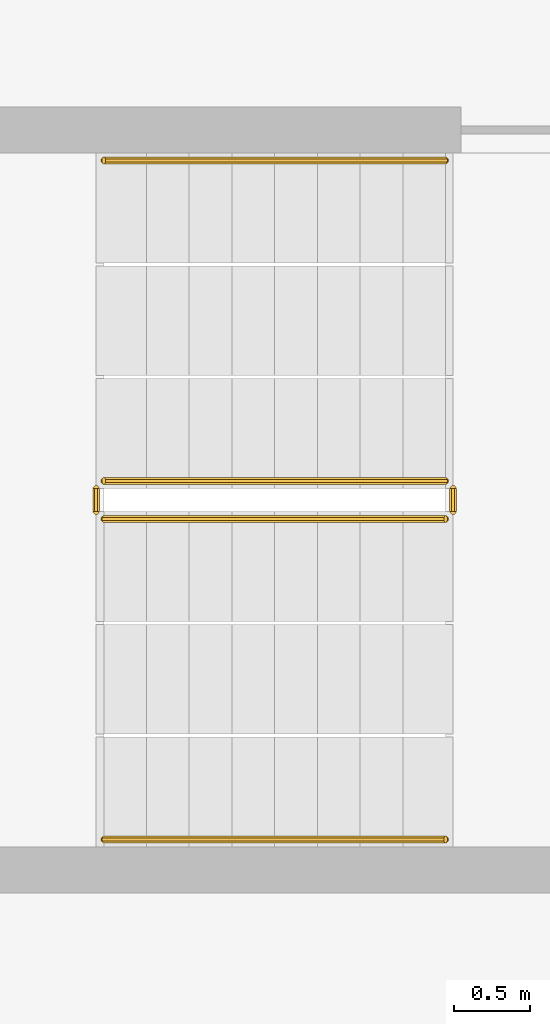
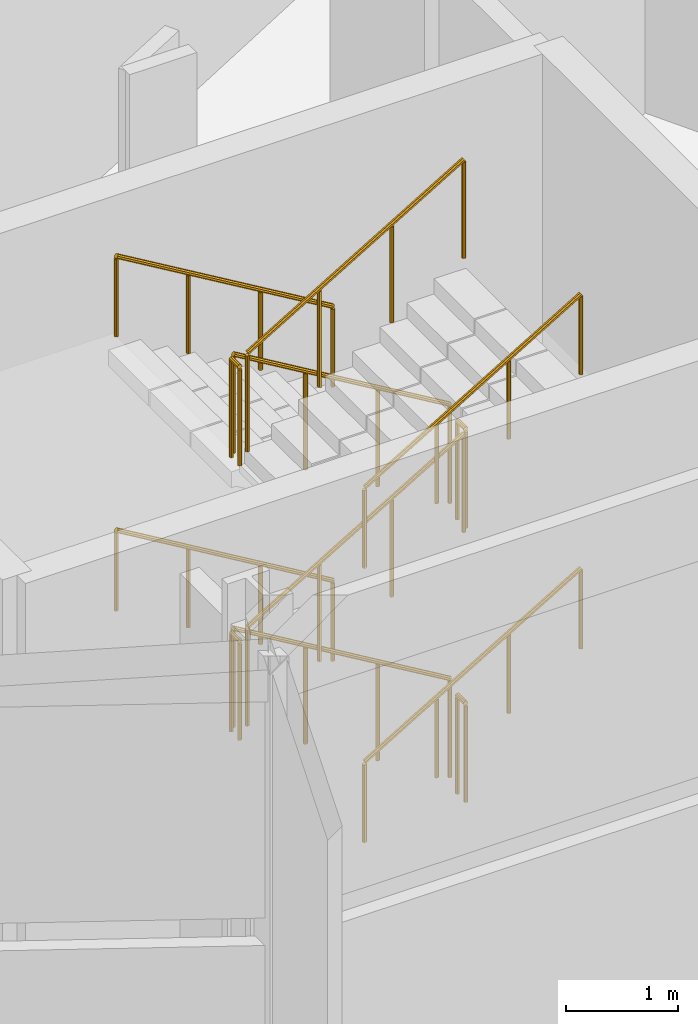
# One storey, part 21 of 33: 12 railings.
"""IFC4 building model written with IfcOpenShell, lengths in metres."""

import ifcopenshell
import ifcopenshell.guid

model = None  # the IFC model being written
_history = None  # IfcOwnerHistory: only IFC2X3 demands one
_inside = {}  # id of a spatial element -> (the spatial element, [elements in it])
_under = {}  # id of a project, library or spatial element -> (it, [spatial elements below it])
_declared = {}  # id of a project -> (the project, [libraries it declares])
_typed = {}  # id of a type object -> (the type object, [elements of that type])
_made_of = {}  # id of a material, layer set ... -> (it, [elements and type objects made of it])


def new_model(schema):
    """Start an empty IFC model of exactly this schema.

    Asked for "IFC4X3", IfcOpenShell would pick the latest addendum, in which some entities
    have other attributes; the version numbers below select the first issue.
    IFC2X3 requires an IfcOwnerHistory on every rooted entity: one is made here for all.
    """
    global model, _history
    if schema == "IFC4X3":
        model = ifcopenshell.file(schema_version=(4, 3, 0, 0))
    else:
        model = ifcopenshell.file(schema=schema)
    _inside.clear()
    _under.clear()
    _declared.clear()
    _typed.clear()
    _made_of.clear()
    _history = None
    if model.schema == "IFC2X3":
        org = make("IfcOrganization", Name="unknown")
        user = make(
            "IfcPersonAndOrganization",
            ThePerson=make("IfcPerson", FamilyName="unknown"),
            TheOrganization=org,
        )
        app = make(
            "IfcApplication",
            ApplicationDeveloper=org,
            Version="unknown",
            ApplicationFullName="unknown",
            ApplicationIdentifier="unknown",
        )
        _history = make(
            "IfcOwnerHistory",
            OwningUser=user,
            OwningApplication=app,
            ChangeAction="ADDED",
            CreationDate=0,
        )
    return model


def make(cls, **values):
    """One entity of the class cls with the attributes given. An attribute that is None is left unset."""
    return model.create_entity(
        cls, **{name: value for name, value in values.items() if value is not None}
    )


def rooted(cls, **values):
    """An entity with a GlobalId (a new one), such as an element, a storey or a relation."""
    return make(cls, GlobalId=ifcopenshell.guid.new(), OwnerHistory=_history, **values)


def si_unit(unit_type, name, prefix=None):
    """IfcSIUnit, for example si_unit("LENGTHUNIT", "METRE", prefix="MILLI")."""
    return make("IfcSIUnit", UnitType=unit_type, Prefix=prefix, Name=name)


def assignment(units):
    """IfcUnitAssignment: the units of a project."""
    return None if units is None else make("IfcUnitAssignment", Units=units)


def point(xyz):
    """IfcCartesianPoint."""
    return None if xyz is None else make("IfcCartesianPoint", Coordinates=xyz)


def direction(xyz):
    """IfcDirection."""
    return None if xyz is None else make("IfcDirection", DirectionRatios=xyz)


def frame(location, z_axis=None, x_axis=None):
    """IfcAxis2Placement3D, a coordinate frame: its origin and axes. An axis left out is left unset."""
    return make(
        "IfcAxis2Placement3D",
        Location=point(location),
        Axis=direction(z_axis),
        RefDirection=direction(x_axis),
    )


def origin():
    """The frame at (0, 0, 0) with its axes left unset."""
    return frame((0.0, 0.0, 0.0))


def place(relative_to, where):
    """IfcLocalPlacement: puts the frame where relative to a parent placement (None: the world)."""
    return make(
        "IfcLocalPlacement", PlacementRelTo=relative_to, RelativePlacement=where
    )


def context(
    kind, dimensions, precision=None, world=None, true_north=None, identifier=None
):
    """IfcGeometricRepresentationContext, for example the 3D "Model" context."""
    return make(
        "IfcGeometricRepresentationContext",
        ContextIdentifier=identifier,
        ContextType=kind,
        CoordinateSpaceDimension=dimensions,
        Precision=precision,
        WorldCoordinateSystem=world,
        TrueNorth=true_north,
    )


def subcontext(parent, identifier, kind, view, scale=None):
    """IfcGeometricRepresentationSubContext, for example "Body" below "Model"."""
    return make(
        "IfcGeometricRepresentationSubContext",
        ContextIdentifier=identifier,
        ContextType=kind,
        ParentContext=parent,
        TargetScale=scale,
        TargetView=view,
    )


def project(units=None, contexts=None):
    """IfcProject with its units and contexts."""
    return rooted(
        "IfcProject",
        Name="project",
        RepresentationContexts=contexts,
        UnitsInContext=assignment(units),
    )


def spatial(cls, under=None, at=None, **own):
    """A site, building, storey or space (cls), placed at a placement, below another one or the project."""
    s = rooted(cls, ObjectPlacement=at, **own)
    if under is not None:
        _under.setdefault(under.id(), (under, []))[1].append(s)
    return s


def polyline(points):
    """IfcPolyline through the points."""
    return make("IfcPolyline", Points=[point(p) for p in points])


def outline(outer, holes=None, kind="AREA"):
    """IfcArbitraryClosedProfileDef: a profile drawn as a closed curve; with holes, ...WithVoids."""
    if holes is None:
        return make("IfcArbitraryClosedProfileDef", ProfileType=kind, OuterCurve=outer)
    return make(
        "IfcArbitraryProfileDefWithVoids",
        ProfileType=kind,
        OuterCurve=outer,
        InnerCurves=holes,
    )


def extrude(swept, where, along, depth):
    """IfcExtrudedAreaSolid: the profile swept, set in the frame where, extruded along a direction by depth."""
    return make(
        "IfcExtrudedAreaSolid",
        SweptArea=swept,
        Position=where,
        ExtrudedDirection=direction(along),
        Depth=depth,
    )


def shape(context_of_items, identifier, shape_type, items):
    """IfcShapeRepresentation: the items that make up one representation, for example the "Body"."""
    return make(
        "IfcShapeRepresentation",
        ContextOfItems=context_of_items,
        RepresentationIdentifier=identifier,
        RepresentationType=shape_type,
        Items=items,
    )


def material(Name=None, Category=None):
    """IfcMaterial."""
    return make("IfcMaterial", Name=Name, Category=Category)


def made_of(thing, what):
    """Note that an element or type object is made of a material, layer set ...; save() writes the relation."""
    if what is not None:
        _made_of.setdefault(what.id(), (what, []))[1].append(thing)
    return thing


def type_object(cls, material=None, **own):
    """A type object (cls), such as IfcWallType, which elements share."""
    return made_of(rooted(cls, **own), material)


def element(
    cls,
    number,
    at=None,
    inside=None,
    cuts=None,
    type_object=None,
    material=None,
    context=None,
    identifier="Body",
    shape_type=None,
    held_by="IfcProductDefinitionShape",
    body=None,
    shapes=None,
    **own,
):
    """One element of the class cls, such as IfcWall. Its Tag is "e" and its number.

    at: its placement. inside: the storey or other place that contains it. cuts: it is an
    opening in that element (IfcRelVoidsElement). A single representation is given by context,
    identifier, shape_type and body (its items); several are given by shapes. held_by: the class
    of the entity that holds the representations. save() writes the other relations.
    """
    e = rooted(cls, Tag="e%d" % number, ObjectPlacement=at, **own)
    if body is not None:
        shapes = [shape(context, identifier, shape_type, body)]
    if shapes is not None:
        e.Representation = make(held_by, Representations=shapes)
    if inside is not None:
        _inside.setdefault(inside.id(), (inside, []))[1].append(e)
    if cuts is not None:
        rooted(
            "IfcRelVoidsElement", RelatingBuildingElement=cuts, RelatedOpeningElement=e
        )
    if type_object is not None:
        _typed.setdefault(type_object.id(), (type_object, []))[1].append(e)
    return made_of(e, material)


def aggregate(whole, parts):
    """IfcRelAggregates: a whole, such as a stair, and the parts it consists of."""
    return rooted("IfcRelAggregates", RelatingObject=whole, RelatedObjects=parts)


def save(model, path):
    """Write the relations noted so far, then the file.

    IfcRelAggregates (storeys below a building ...), IfcRelContainedInSpatialStructure (elements
    in a storey), IfcRelDefinesByType, IfcRelAssociatesMaterial and IfcRelDeclares: one each for
    every whole, place, type object, material and project.
    """
    for whole, parts in _under.values():
        aggregate(whole, parts)
    for where, things in _inside.values():
        rooted(
            "IfcRelContainedInSpatialStructure",
            RelatedElements=things,
            RelatingStructure=where,
        )
    for kind, things in _typed.values():
        rooted("IfcRelDefinesByType", RelatedObjects=things, RelatingType=kind)
    for what, things in _made_of.values():
        rooted("IfcRelAssociatesMaterial", RelatedObjects=things, RelatingMaterial=what)
    for by, libraries in _declared.values():
        rooted("IfcRelDeclares", RelatingContext=by, RelatedDefinitions=libraries)
    model.write(path)


model = new_model("IFC4")

# Units and contexts
model_context = context("Model", 3, precision=1e-05, world=origin(), true_north=direction((0.0, 1.0)))
body_context = subcontext(model_context, "Body", "Model", "MODEL_VIEW")
ifc_project = project(units=[si_unit("LENGTHUNIT", "METRE"), si_unit("AREAUNIT", "SQUARE_METRE"), si_unit("VOLUMEUNIT", "CUBIC_METRE"), si_unit("PLANEANGLEUNIT", "RADIAN"), si_unit("MASSUNIT", "GRAM", prefix="KILO")], contexts=[model_context])

# Site, building, storey
site_placement = place(None, origin())
site = spatial("IfcSite", under=ifc_project, at=site_placement, CompositionType="ELEMENT")
building_placement = place(site_placement, origin())
building = spatial("IfcBuilding", under=site, at=building_placement, Name="Cormorant Relay Tower", CompositionType="ELEMENT")
storey_placement = place(building_placement, frame((0.0, 0.0, 112.199951171875)))
storey = spatial("IfcBuildingStorey", under=building, at=storey_placement, Name="L22", CompositionType="ELEMENT", Elevation=112.199951171875)

# Railings
ifc_material_1 = material(Name="Steel ASTM A572 Grade 50 (Fy 345 MPa)", Category="steel")
railing_type_1 = type_object("IfcRailingType", Name="Stair guard 1100", PredefinedType="GUARDRAIL", material=ifc_material_1)
railing_1_placement = place(storey_placement, frame((1.60009765625, -18.27490234375, 0.166748046875)))
element("IfcRailing", 1, at=railing_1_placement, inside=storey, type_object=railing_type_1, Name="L22 RK1 stair guard 1", PredefinedType="GUARDRAIL", context=body_context, shape_type="SweptSolid", body=[
    extrude(outline(polyline([(0.022216796875, 0.00927734375), (0.00927734375, 0.022216796875), (-0.00927734375, 0.022216796875), (-0.022216796875, 0.00927734375), (-0.022216796875, -0.00927734375), (-0.00927734375, -0.022216796875), (0.00927734375, -0.022216796875), (0.022216796875, -0.00927734375), (0.022216796875, 0.00927734375)])), frame((0.0, 0.0, 1.076171875), z_axis=(-0.859305625298, 0.0, 0.511462454469), x_axis=(0.0, -1.0, 0.0)), (0.0, 0.0, 1.0), 2.606689453125),
    extrude(outline(polyline([(0.019287109375, 0.008056640625), (0.008056640625, 0.019287109375), (-0.008056640625, 0.019287109375), (-0.019287109375, 0.008056640625), (-0.019287109375, -0.008056640625), (-0.008056640625, -0.019287109375), (0.008056640625, -0.019287109375), (0.019287109375, -0.008056640625), (0.019287109375, 0.008056640625)])), origin(), (0.0, 0.0, 1.0), 1.052001953125),
    extrude(outline(polyline([(0.019287109375, 0.008056640625), (0.008056640625, 0.019287109375), (-0.008056640625, 0.019287109375), (-0.019287109375, 0.008056640625), (-0.019287109375, -0.008056640625), (-0.008056640625, -0.019287109375), (0.008056640625, -0.019287109375), (0.019287109375, -0.008056640625), (0.019287109375, 0.008056640625)])), frame((-0.74658203125, 0.0, 0.4443359375)), (0.0, 0.0, 1.0), 1.052001953125),
    extrude(outline(polyline([(0.019287109375, 0.008056640625), (0.008056640625, 0.019287109375), (-0.008056640625, 0.019287109375), (-0.019287109375, 0.008056640625), (-0.019287109375, -0.008056640625), (-0.008056640625, -0.019287109375), (0.008056640625, -0.019287109375), (0.019287109375, -0.008056640625), (0.019287109375, 0.008056640625)])), frame((-1.493408203125, 0.0, 0.888916015625)), (0.0, 0.0, 1.0), 1.052001953125),
    extrude(outline(polyline([(0.019287109375, 0.008056640625), (0.008056640625, 0.019287109375), (-0.008056640625, 0.019287109375), (-0.019287109375, 0.008056640625), (-0.019287109375, -0.008056640625), (-0.008056640625, -0.019287109375), (0.008056640625, -0.019287109375), (0.019287109375, -0.008056640625), (0.019287109375, 0.008056640625)])), frame((-2.239990234375, 0.0, 1.333251953125)), (0.0, 0.0, 1.0), 1.052001953125),
])
railing_2_placement = place(storey_placement, frame((-0.68994140625, -18.324951171875, 1.5)))
element("IfcRailing", 2, at=railing_2_placement, inside=storey, type_object=railing_type_1, Name="L22 RK1 stair guard 2", PredefinedType="GUARDRAIL", context=body_context, shape_type="SweptSolid", body=[
    extrude(outline(polyline([(0.022216796875, 0.00927734375), (0.00927734375, 0.022216796875), (-0.00927734375, 0.022216796875), (-0.022216796875, 0.00927734375), (-0.022216796875, -0.00927734375), (-0.00927734375, -0.022216796875), (0.00927734375, -0.022216796875), (0.022216796875, -0.00927734375), (0.022216796875, 0.00927734375)])), frame((0.0, 0.0, 1.076171875), z_axis=(0.0, -1.0, 0.0), x_axis=(1.0, 0.0, 0.0)), (0.0, 0.0, 1.0), 0.150146484375),
    extrude(outline(polyline([(0.019287109375, 0.008056640625), (0.008056640625, 0.019287109375), (-0.008056640625, 0.019287109375), (-0.019287109375, 0.008056640625), (-0.019287109375, -0.008056640625), (-0.008056640625, -0.019287109375), (0.008056640625, -0.019287109375), (0.019287109375, -0.008056640625), (0.019287109375, 0.008056640625)])), origin(), (0.0, 0.0, 1.0), 1.052001953125),
    extrude(outline(polyline([(0.019287109375, 0.008056640625), (0.008056640625, 0.019287109375), (-0.008056640625, 0.019287109375), (-0.019287109375, 0.008056640625), (-0.019287109375, -0.008056640625), (-0.008056640625, -0.019287109375), (0.008056640625, -0.019287109375), (0.019287109375, -0.008056640625), (0.019287109375, 0.008056640625)])), frame((0.0, -0.150146484375, 0.0)), (0.0, 0.0, 1.0), 1.052001953125),
])
railing_3_placement = place(storey_placement, frame((-0.639892578125, -18.52490234375, 1.666748046875)))
element("IfcRailing", 3, at=railing_3_placement, inside=storey, type_object=railing_type_1, Name="L22 RK1 stair guard 3", PredefinedType="GUARDRAIL", context=body_context, shape_type="SweptSolid", body=[
    extrude(outline(polyline([(0.022216796875, 0.00927734375), (0.00927734375, 0.022216796875), (-0.00927734375, 0.022216796875), (-0.022216796875, 0.00927734375), (-0.022216796875, -0.00927734375), (-0.00927734375, -0.022216796875), (0.00927734375, -0.022216796875), (0.022216796875, -0.00927734375), (0.022216796875, 0.00927734375)])), frame((0.0, 0.0, 1.076171875), z_axis=(0.859305625298, 0.0, 0.511462454469), x_axis=(0.0, 1.0, 0.0)), (0.0, 0.0, 1.0), 2.606689453125),
    extrude(outline(polyline([(0.019287109375, 0.008056640625), (0.008056640625, 0.019287109375), (-0.008056640625, 0.019287109375), (-0.019287109375, 0.008056640625), (-0.019287109375, -0.008056640625), (-0.008056640625, -0.019287109375), (0.008056640625, -0.019287109375), (0.019287109375, -0.008056640625), (0.019287109375, 0.008056640625)])), origin(), (0.0, 0.0, 1.0), 1.052001953125),
    extrude(outline(polyline([(0.019287109375, 0.008056640625), (0.008056640625, 0.019287109375), (-0.008056640625, 0.019287109375), (-0.019287109375, 0.008056640625), (-0.019287109375, -0.008056640625), (-0.008056640625, -0.019287109375), (0.008056640625, -0.019287109375), (0.019287109375, -0.008056640625), (0.019287109375, 0.008056640625)])), frame((0.74658203125, 0.0, 0.4443359375)), (0.0, 0.0, 1.0), 1.052001953125),
    extrude(outline(polyline([(0.019287109375, 0.008056640625), (0.008056640625, 0.019287109375), (-0.008056640625, 0.019287109375), (-0.019287109375, 0.008056640625), (-0.019287109375, -0.008056640625), (-0.008056640625, -0.019287109375), (0.008056640625, -0.019287109375), (0.019287109375, -0.008056640625), (0.019287109375, 0.008056640625)])), frame((1.493408203125, 0.0, 0.888916015625)), (0.0, 0.0, 1.0), 1.052001953125),
    extrude(outline(polyline([(0.019287109375, 0.008056640625), (0.008056640625, 0.019287109375), (-0.008056640625, 0.019287109375), (-0.019287109375, 0.008056640625), (-0.019287109375, -0.008056640625), (-0.008056640625, -0.019287109375), (0.008056640625, -0.019287109375), (0.019287109375, -0.008056640625), (0.019287109375, 0.008056640625)])), frame((2.239990234375, 0.0, 1.333251953125)), (0.0, 0.0, 1.0), 1.052001953125),
])
railing_4_placement = place(storey_placement, frame((1.64990234375, -18.324951171875, 3.0)))
element("IfcRailing", 4, at=railing_4_placement, inside=storey, type_object=railing_type_1, Name="L22 RK1 stair guard 4", PredefinedType="GUARDRAIL", context=body_context, shape_type="SweptSolid", body=[
    extrude(outline(polyline([(0.022216796875, 0.00927734375), (0.00927734375, 0.022216796875), (-0.00927734375, 0.022216796875), (-0.022216796875, 0.00927734375), (-0.022216796875, -0.00927734375), (-0.00927734375, -0.022216796875), (0.00927734375, -0.022216796875), (0.022216796875, -0.00927734375), (0.022216796875, 0.00927734375)])), frame((0.0, 0.0, 1.076171875), z_axis=(0.0, -1.0, 0.0), x_axis=(1.0, 0.0, 0.0)), (0.0, 0.0, 1.0), 0.150146484375),
    extrude(outline(polyline([(0.019287109375, 0.008056640625), (0.008056640625, 0.019287109375), (-0.008056640625, 0.019287109375), (-0.019287109375, 0.008056640625), (-0.019287109375, -0.008056640625), (-0.008056640625, -0.019287109375), (0.008056640625, -0.019287109375), (0.019287109375, -0.008056640625), (0.019287109375, 0.008056640625)])), origin(), (0.0, 0.0, 1.0), 1.052001953125),
    extrude(outline(polyline([(0.019287109375, 0.008056640625), (0.008056640625, 0.019287109375), (-0.008056640625, 0.019287109375), (-0.019287109375, 0.008056640625), (-0.019287109375, -0.008056640625), (-0.008056640625, -0.019287109375), (0.008056640625, -0.019287109375), (0.019287109375, -0.008056640625), (0.019287109375, 0.008056640625)])), frame((0.0, -0.150146484375, 0.0)), (0.0, 0.0, 1.0), 1.052001953125),
])
railing_5_placement = place(storey_placement, frame((1.60009765625, -18.27490234375, 3.166748046875)))
element("IfcRailing", 5, at=railing_5_placement, inside=storey, type_object=railing_type_1, Name="L22 RK1 stair guard 5", PredefinedType="GUARDRAIL", context=body_context, shape_type="SweptSolid", body=[
    extrude(outline(polyline([(0.022216796875, 0.00927734375), (0.00927734375, 0.022216796875), (-0.00927734375, 0.022216796875), (-0.022216796875, 0.00927734375), (-0.022216796875, -0.00927734375), (-0.00927734375, -0.022216796875), (0.00927734375, -0.022216796875), (0.022216796875, -0.00927734375), (0.022216796875, 0.00927734375)])), frame((0.0, 0.0, 1.076171875), z_axis=(-0.859305625298, 0.0, 0.511462454469), x_axis=(0.0, -1.0, 0.0)), (0.0, 0.0, 1.0), 2.606689453125),
    extrude(outline(polyline([(0.019287109375, 0.008056640625), (0.008056640625, 0.019287109375), (-0.008056640625, 0.019287109375), (-0.019287109375, 0.008056640625), (-0.019287109375, -0.008056640625), (-0.008056640625, -0.019287109375), (0.008056640625, -0.019287109375), (0.019287109375, -0.008056640625), (0.019287109375, 0.008056640625)])), origin(), (0.0, 0.0, 1.0), 1.052001953125),
    extrude(outline(polyline([(0.019287109375, 0.008056640625), (0.008056640625, 0.019287109375), (-0.008056640625, 0.019287109375), (-0.019287109375, 0.008056640625), (-0.019287109375, -0.008056640625), (-0.008056640625, -0.019287109375), (0.008056640625, -0.019287109375), (0.019287109375, -0.008056640625), (0.019287109375, 0.008056640625)])), frame((-0.74658203125, 0.0, 0.4443359375)), (0.0, 0.0, 1.0), 1.052001953125),
    extrude(outline(polyline([(0.019287109375, 0.008056640625), (0.008056640625, 0.019287109375), (-0.008056640625, 0.019287109375), (-0.019287109375, 0.008056640625), (-0.019287109375, -0.008056640625), (-0.008056640625, -0.019287109375), (0.008056640625, -0.019287109375), (0.019287109375, -0.008056640625), (0.019287109375, 0.008056640625)])), frame((-1.493408203125, 0.0, 0.888916015625)), (0.0, 0.0, 1.0), 1.052001953125),
    extrude(outline(polyline([(0.019287109375, 0.008056640625), (0.008056640625, 0.019287109375), (-0.008056640625, 0.019287109375), (-0.019287109375, 0.008056640625), (-0.019287109375, -0.008056640625), (-0.008056640625, -0.019287109375), (0.008056640625, -0.019287109375), (0.019287109375, -0.008056640625), (0.019287109375, 0.008056640625)])), frame((-2.239990234375, 0.0, 1.333251953125)), (0.0, 0.0, 1.0), 1.052001953125),
])
railing_6_placement = place(storey_placement, frame((-0.68994140625, -18.324951171875, 4.5)))
element("IfcRailing", 6, at=railing_6_placement, inside=storey, type_object=railing_type_1, Name="L22 RK1 stair guard 6", PredefinedType="GUARDRAIL", context=body_context, shape_type="SweptSolid", body=[
    extrude(outline(polyline([(0.022216796875, 0.00927734375), (0.00927734375, 0.022216796875), (-0.00927734375, 0.022216796875), (-0.022216796875, 0.00927734375), (-0.022216796875, -0.00927734375), (-0.00927734375, -0.022216796875), (0.00927734375, -0.022216796875), (0.022216796875, -0.00927734375), (0.022216796875, 0.00927734375)])), frame((0.0, 0.0, 1.076171875), z_axis=(0.0, -1.0, 0.0), x_axis=(1.0, 0.0, 0.0)), (0.0, 0.0, 1.0), 0.150146484375),
    extrude(outline(polyline([(0.019287109375, 0.008056640625), (0.008056640625, 0.019287109375), (-0.008056640625, 0.019287109375), (-0.019287109375, 0.008056640625), (-0.019287109375, -0.008056640625), (-0.008056640625, -0.019287109375), (0.008056640625, -0.019287109375), (0.019287109375, -0.008056640625), (0.019287109375, 0.008056640625)])), origin(), (0.0, 0.0, 1.0), 1.052001953125),
    extrude(outline(polyline([(0.019287109375, 0.008056640625), (0.008056640625, 0.019287109375), (-0.008056640625, 0.019287109375), (-0.019287109375, 0.008056640625), (-0.019287109375, -0.008056640625), (-0.008056640625, -0.019287109375), (0.008056640625, -0.019287109375), (0.019287109375, -0.008056640625), (0.019287109375, 0.008056640625)])), frame((0.0, -0.150146484375, 0.0)), (0.0, 0.0, 1.0), 1.052001953125),
])
railing_7_placement = place(storey_placement, frame((-0.639892578125, -18.52490234375, 4.666748046875)))
element("IfcRailing", 7, at=railing_7_placement, inside=storey, type_object=railing_type_1, Name="L22 RK1 stair guard 7", PredefinedType="GUARDRAIL", context=body_context, shape_type="SweptSolid", body=[
    extrude(outline(polyline([(0.022216796875, 0.00927734375), (0.00927734375, 0.022216796875), (-0.00927734375, 0.022216796875), (-0.022216796875, 0.00927734375), (-0.022216796875, -0.00927734375), (-0.00927734375, -0.022216796875), (0.00927734375, -0.022216796875), (0.022216796875, -0.00927734375), (0.022216796875, 0.00927734375)])), frame((0.0, 0.0, 1.076171875), z_axis=(0.859305625298, 0.0, 0.511462454469), x_axis=(0.0, 1.0, 0.0)), (0.0, 0.0, 1.0), 2.606689453125),
    extrude(outline(polyline([(0.019287109375, 0.008056640625), (0.008056640625, 0.019287109375), (-0.008056640625, 0.019287109375), (-0.019287109375, 0.008056640625), (-0.019287109375, -0.008056640625), (-0.008056640625, -0.019287109375), (0.008056640625, -0.019287109375), (0.019287109375, -0.008056640625), (0.019287109375, 0.008056640625)])), origin(), (0.0, 0.0, 1.0), 1.052001953125),
    extrude(outline(polyline([(0.019287109375, 0.008056640625), (0.008056640625, 0.019287109375), (-0.008056640625, 0.019287109375), (-0.019287109375, 0.008056640625), (-0.019287109375, -0.008056640625), (-0.008056640625, -0.019287109375), (0.008056640625, -0.019287109375), (0.019287109375, -0.008056640625), (0.019287109375, 0.008056640625)])), frame((0.74658203125, 0.0, 0.4443359375)), (0.0, 0.0, 1.0), 1.052001953125),
    extrude(outline(polyline([(0.019287109375, 0.008056640625), (0.008056640625, 0.019287109375), (-0.008056640625, 0.019287109375), (-0.019287109375, 0.008056640625), (-0.019287109375, -0.008056640625), (-0.008056640625, -0.019287109375), (0.008056640625, -0.019287109375), (0.019287109375, -0.008056640625), (0.019287109375, 0.008056640625)])), frame((1.493408203125, 0.0, 0.888916015625)), (0.0, 0.0, 1.0), 1.052001953125),
    extrude(outline(polyline([(0.019287109375, 0.008056640625), (0.008056640625, 0.019287109375), (-0.008056640625, 0.019287109375), (-0.019287109375, 0.008056640625), (-0.019287109375, -0.008056640625), (-0.008056640625, -0.019287109375), (0.008056640625, -0.019287109375), (0.019287109375, -0.008056640625), (0.019287109375, 0.008056640625)])), frame((2.239990234375, 0.0, 1.333251953125)), (0.0, 0.0, 1.0), 1.052001953125),
])
railing_8_placement = place(storey_placement, frame((1.64990234375, -18.324951171875, 0.0)))
element("IfcRailing", 8, at=railing_8_placement, inside=storey, type_object=railing_type_1, Name="L22 RK1 stair guard 8", PredefinedType="GUARDRAIL", context=body_context, shape_type="SweptSolid", body=[
    extrude(outline(polyline([(0.022216796875, 0.00927734375), (0.00927734375, 0.022216796875), (-0.00927734375, 0.022216796875), (-0.022216796875, 0.00927734375), (-0.022216796875, -0.00927734375), (-0.00927734375, -0.022216796875), (0.00927734375, -0.022216796875), (0.022216796875, -0.00927734375), (0.022216796875, 0.00927734375)])), frame((0.0, 0.0, 1.076171875), z_axis=(0.0, -1.0, 0.0), x_axis=(1.0, 0.0, 0.0)), (0.0, 0.0, 1.0), 0.150146484375),
    extrude(outline(polyline([(0.019287109375, 0.008056640625), (0.008056640625, 0.019287109375), (-0.008056640625, 0.019287109375), (-0.019287109375, 0.008056640625), (-0.019287109375, -0.008056640625), (-0.008056640625, -0.019287109375), (0.008056640625, -0.019287109375), (0.019287109375, -0.008056640625), (0.019287109375, 0.008056640625)])), origin(), (0.0, 0.0, 1.0), 1.052001953125),
    extrude(outline(polyline([(0.019287109375, 0.008056640625), (0.008056640625, 0.019287109375), (-0.008056640625, 0.019287109375), (-0.019287109375, 0.008056640625), (-0.019287109375, -0.008056640625), (-0.008056640625, -0.019287109375), (0.008056640625, -0.019287109375), (0.019287109375, -0.008056640625), (0.019287109375, 0.008056640625)])), frame((0.0, -0.150146484375, 0.0)), (0.0, 0.0, 1.0), 1.052001953125),
])
ifc_material_2 = material(Name="Steel ASTM A572 Grade 50 (Fy 345 MPa)", Category="steel")
railing_type_2 = type_object("IfcRailingType", Name="Stair handrail 900", PredefinedType="HANDRAIL", material=ifc_material_2)
railing_9_placement = place(storey_placement, frame((1.60009765625, -16.175048828125, 0.166748046875)))
element("IfcRailing", 9, at=railing_9_placement, inside=storey, type_object=railing_type_2, Name="L22 RK1 stair handrail 1", PredefinedType="HANDRAIL", context=body_context, shape_type="SweptSolid", body=[
    extrude(outline(polyline([(0.022216796875, 0.00927734375), (0.00927734375, 0.022216796875), (-0.00927734375, 0.022216796875), (-0.022216796875, 0.00927734375), (-0.022216796875, -0.00927734375), (-0.00927734375, -0.022216796875), (0.00927734375, -0.022216796875), (0.022216796875, -0.00927734375), (0.022216796875, 0.00927734375)])), frame((0.0, 0.0, 0.8759765625), z_axis=(-0.859305625298, 0.0, 0.511462454469), x_axis=(0.0, -1.0, 0.0)), (0.0, 0.0, 1.0), 2.606689453125),
    extrude(outline(polyline([(0.019287109375, 0.008056640625), (0.008056640625, 0.019287109375), (-0.008056640625, 0.019287109375), (-0.019287109375, 0.008056640625), (-0.019287109375, -0.008056640625), (-0.008056640625, -0.019287109375), (0.008056640625, -0.019287109375), (0.019287109375, -0.008056640625), (0.019287109375, 0.008056640625)])), origin(), (0.0, 0.0, 1.0), 0.851806640625),
    extrude(outline(polyline([(0.019287109375, 0.008056640625), (0.008056640625, 0.019287109375), (-0.008056640625, 0.019287109375), (-0.019287109375, 0.008056640625), (-0.019287109375, -0.008056640625), (-0.008056640625, -0.019287109375), (0.008056640625, -0.019287109375), (0.019287109375, -0.008056640625), (0.019287109375, 0.008056640625)])), frame((-0.74658203125, 0.0, 0.4443359375)), (0.0, 0.0, 1.0), 0.851806640625),
    extrude(outline(polyline([(0.019287109375, 0.008056640625), (0.008056640625, 0.019287109375), (-0.008056640625, 0.019287109375), (-0.019287109375, 0.008056640625), (-0.019287109375, -0.008056640625), (-0.008056640625, -0.019287109375), (0.008056640625, -0.019287109375), (0.019287109375, -0.008056640625), (0.019287109375, 0.008056640625)])), frame((-1.493408203125, 0.0, 0.888916015625)), (0.0, 0.0, 1.0), 0.851806640625),
    extrude(outline(polyline([(0.019287109375, 0.008056640625), (0.008056640625, 0.019287109375), (-0.008056640625, 0.019287109375), (-0.019287109375, 0.008056640625), (-0.019287109375, -0.008056640625), (-0.008056640625, -0.019287109375), (0.008056640625, -0.019287109375), (0.019287109375, -0.008056640625), (0.019287109375, 0.008056640625)])), frame((-2.239990234375, 0.0, 1.333251953125)), (0.0, 0.0, 1.0), 0.851806640625),
])
railing_10_placement = place(storey_placement, frame((-0.639892578125, -20.625, 1.666748046875)))
element("IfcRailing", 10, at=railing_10_placement, inside=storey, type_object=railing_type_2, Name="L22 RK1 stair handrail 2", PredefinedType="HANDRAIL", context=body_context, shape_type="SweptSolid", body=[
    extrude(outline(polyline([(0.022216796875, 0.00927734375), (0.00927734375, 0.022216796875), (-0.00927734375, 0.022216796875), (-0.022216796875, 0.00927734375), (-0.022216796875, -0.00927734375), (-0.00927734375, -0.022216796875), (0.00927734375, -0.022216796875), (0.022216796875, -0.00927734375), (0.022216796875, 0.00927734375)])), frame((0.0, 0.0, 0.8759765625), z_axis=(0.859305625298, 0.0, 0.511462454469), x_axis=(0.0, 1.0, 0.0)), (0.0, 0.0, 1.0), 2.606689453125),
    extrude(outline(polyline([(0.019287109375, 0.008056640625), (0.008056640625, 0.019287109375), (-0.008056640625, 0.019287109375), (-0.019287109375, 0.008056640625), (-0.019287109375, -0.008056640625), (-0.008056640625, -0.019287109375), (0.008056640625, -0.019287109375), (0.019287109375, -0.008056640625), (0.019287109375, 0.008056640625)])), origin(), (0.0, 0.0, 1.0), 0.851806640625),
    extrude(outline(polyline([(0.019287109375, 0.008056640625), (0.008056640625, 0.019287109375), (-0.008056640625, 0.019287109375), (-0.019287109375, 0.008056640625), (-0.019287109375, -0.008056640625), (-0.008056640625, -0.019287109375), (0.008056640625, -0.019287109375), (0.019287109375, -0.008056640625), (0.019287109375, 0.008056640625)])), frame((0.74658203125, 0.0, 0.4443359375)), (0.0, 0.0, 1.0), 0.851806640625),
    extrude(outline(polyline([(0.019287109375, 0.008056640625), (0.008056640625, 0.019287109375), (-0.008056640625, 0.019287109375), (-0.019287109375, 0.008056640625), (-0.019287109375, -0.008056640625), (-0.008056640625, -0.019287109375), (0.008056640625, -0.019287109375), (0.019287109375, -0.008056640625), (0.019287109375, 0.008056640625)])), frame((1.493408203125, 0.0, 0.888916015625)), (0.0, 0.0, 1.0), 0.851806640625),
    extrude(outline(polyline([(0.019287109375, 0.008056640625), (0.008056640625, 0.019287109375), (-0.008056640625, 0.019287109375), (-0.019287109375, 0.008056640625), (-0.019287109375, -0.008056640625), (-0.008056640625, -0.019287109375), (0.008056640625, -0.019287109375), (0.019287109375, -0.008056640625), (0.019287109375, 0.008056640625)])), frame((2.239990234375, 0.0, 1.333251953125)), (0.0, 0.0, 1.0), 0.851806640625),
])
railing_11_placement = place(storey_placement, frame((1.60009765625, -16.175048828125, 3.166748046875)))
element("IfcRailing", 11, at=railing_11_placement, inside=storey, type_object=railing_type_2, Name="L22 RK1 stair handrail 3", PredefinedType="HANDRAIL", context=body_context, shape_type="SweptSolid", body=[
    extrude(outline(polyline([(0.022216796875, 0.00927734375), (0.00927734375, 0.022216796875), (-0.00927734375, 0.022216796875), (-0.022216796875, 0.00927734375), (-0.022216796875, -0.00927734375), (-0.00927734375, -0.022216796875), (0.00927734375, -0.022216796875), (0.022216796875, -0.00927734375), (0.022216796875, 0.00927734375)])), frame((0.0, 0.0, 0.8759765625), z_axis=(-0.859305625298, 0.0, 0.511462454469), x_axis=(0.0, -1.0, 0.0)), (0.0, 0.0, 1.0), 2.606689453125),
    extrude(outline(polyline([(0.019287109375, 0.008056640625), (0.008056640625, 0.019287109375), (-0.008056640625, 0.019287109375), (-0.019287109375, 0.008056640625), (-0.019287109375, -0.008056640625), (-0.008056640625, -0.019287109375), (0.008056640625, -0.019287109375), (0.019287109375, -0.008056640625), (0.019287109375, 0.008056640625)])), origin(), (0.0, 0.0, 1.0), 0.851806640625),
    extrude(outline(polyline([(0.019287109375, 0.008056640625), (0.008056640625, 0.019287109375), (-0.008056640625, 0.019287109375), (-0.019287109375, 0.008056640625), (-0.019287109375, -0.008056640625), (-0.008056640625, -0.019287109375), (0.008056640625, -0.019287109375), (0.019287109375, -0.008056640625), (0.019287109375, 0.008056640625)])), frame((-0.74658203125, 0.0, 0.4443359375)), (0.0, 0.0, 1.0), 0.851806640625),
    extrude(outline(polyline([(0.019287109375, 0.008056640625), (0.008056640625, 0.019287109375), (-0.008056640625, 0.019287109375), (-0.019287109375, 0.008056640625), (-0.019287109375, -0.008056640625), (-0.008056640625, -0.019287109375), (0.008056640625, -0.019287109375), (0.019287109375, -0.008056640625), (0.019287109375, 0.008056640625)])), frame((-1.493408203125, 0.0, 0.888916015625)), (0.0, 0.0, 1.0), 0.851806640625),
    extrude(outline(polyline([(0.019287109375, 0.008056640625), (0.008056640625, 0.019287109375), (-0.008056640625, 0.019287109375), (-0.019287109375, 0.008056640625), (-0.019287109375, -0.008056640625), (-0.008056640625, -0.019287109375), (0.008056640625, -0.019287109375), (0.019287109375, -0.008056640625), (0.019287109375, 0.008056640625)])), frame((-2.239990234375, 0.0, 1.333251953125)), (0.0, 0.0, 1.0), 0.851806640625),
])
railing_12_placement = place(storey_placement, frame((-0.639892578125, -20.625, 4.666748046875)))
element("IfcRailing", 12, at=railing_12_placement, inside=storey, type_object=railing_type_2, Name="L22 RK1 stair handrail 4", PredefinedType="HANDRAIL", context=body_context, shape_type="SweptSolid", body=[
    extrude(outline(polyline([(0.022216796875, 0.00927734375), (0.00927734375, 0.022216796875), (-0.00927734375, 0.022216796875), (-0.022216796875, 0.00927734375), (-0.022216796875, -0.00927734375), (-0.00927734375, -0.022216796875), (0.00927734375, -0.022216796875), (0.022216796875, -0.00927734375), (0.022216796875, 0.00927734375)])), frame((0.0, 0.0, 0.8759765625), z_axis=(0.859305625298, 0.0, 0.511462454469), x_axis=(0.0, 1.0, 0.0)), (0.0, 0.0, 1.0), 2.606689453125),
    extrude(outline(polyline([(0.019287109375, 0.008056640625), (0.008056640625, 0.019287109375), (-0.008056640625, 0.019287109375), (-0.019287109375, 0.008056640625), (-0.019287109375, -0.008056640625), (-0.008056640625, -0.019287109375), (0.008056640625, -0.019287109375), (0.019287109375, -0.008056640625), (0.019287109375, 0.008056640625)])), origin(), (0.0, 0.0, 1.0), 0.851806640625),
    extrude(outline(polyline([(0.019287109375, 0.008056640625), (0.008056640625, 0.019287109375), (-0.008056640625, 0.019287109375), (-0.019287109375, 0.008056640625), (-0.019287109375, -0.008056640625), (-0.008056640625, -0.019287109375), (0.008056640625, -0.019287109375), (0.019287109375, -0.008056640625), (0.019287109375, 0.008056640625)])), frame((0.74658203125, 0.0, 0.4443359375)), (0.0, 0.0, 1.0), 0.851806640625),
    extrude(outline(polyline([(0.019287109375, 0.008056640625), (0.008056640625, 0.019287109375), (-0.008056640625, 0.019287109375), (-0.019287109375, 0.008056640625), (-0.019287109375, -0.008056640625), (-0.008056640625, -0.019287109375), (0.008056640625, -0.019287109375), (0.019287109375, -0.008056640625), (0.019287109375, 0.008056640625)])), frame((1.493408203125, 0.0, 0.888916015625)), (0.0, 0.0, 1.0), 0.851806640625),
    extrude(outline(polyline([(0.019287109375, 0.008056640625), (0.008056640625, 0.019287109375), (-0.008056640625, 0.019287109375), (-0.019287109375, 0.008056640625), (-0.019287109375, -0.008056640625), (-0.008056640625, -0.019287109375), (0.008056640625, -0.019287109375), (0.019287109375, -0.008056640625), (0.019287109375, 0.008056640625)])), frame((2.239990234375, 0.0, 1.333251953125)), (0.0, 0.0, 1.0), 0.851806640625),
])

save(model, "model.ifc")
